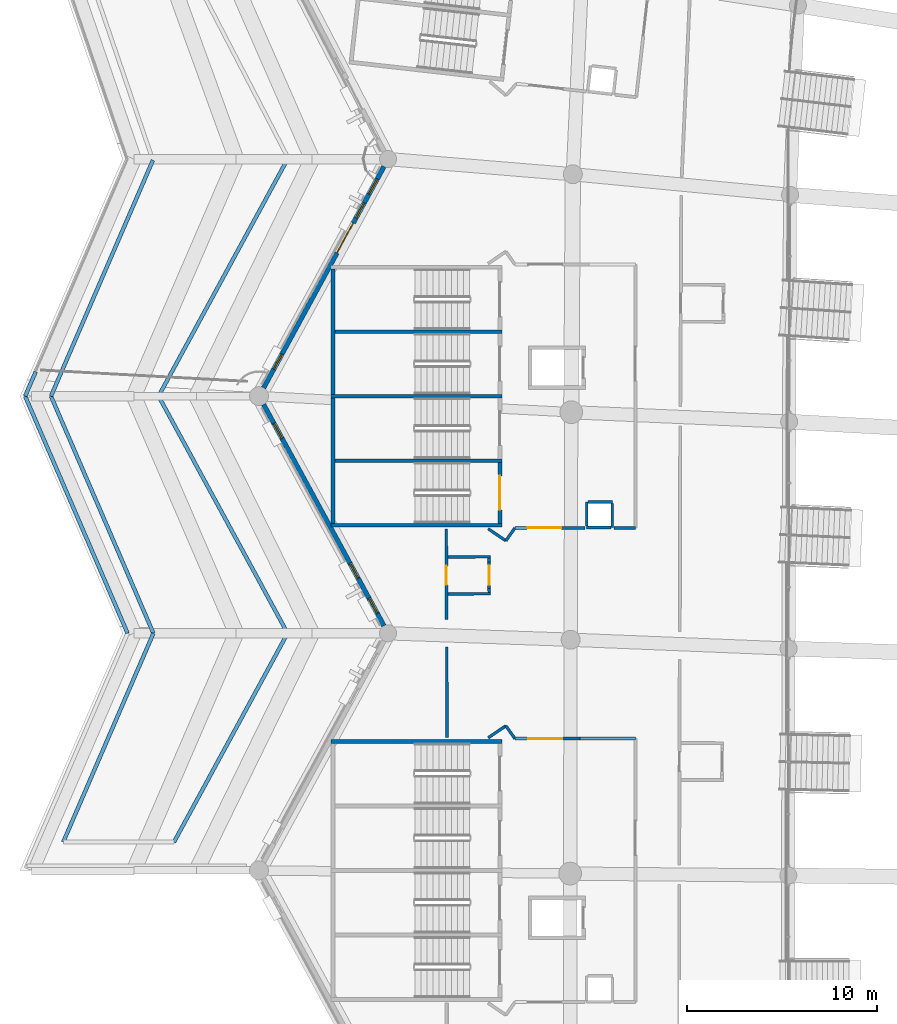
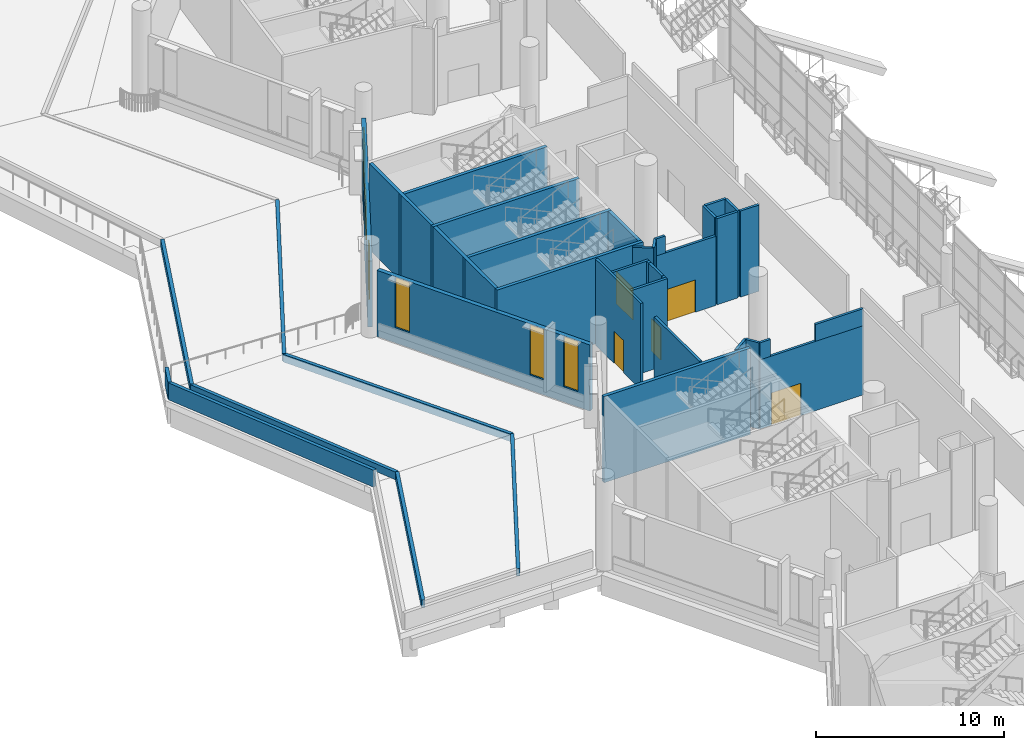
# One storey, part 61 of 173: 39 walls, 6 doors, 6 windows, 12 openings.
"""IFC4 building model written with IfcOpenShell, lengths in metres."""

from ifc_helpers import new_model, si_unit, direction, frame, frame_2d, origin, place, context, subcontext, project, spatial, rectangle, extrude, material, layer, layer_set, type_object, element, fill, save


model = new_model("IFC4")

# Units and contexts
model_context = context("Model", 3, precision=1e-05, world=origin(), true_north=direction((0.0, 1.0)))
body_context = subcontext(model_context, "Body", "Model", "MODEL_VIEW")
ifc_project = project(units=[si_unit("LENGTHUNIT", "METRE"), si_unit("AREAUNIT", "SQUARE_METRE"), si_unit("VOLUMEUNIT", "CUBIC_METRE"), si_unit("PLANEANGLEUNIT", "RADIAN"), si_unit("MASSUNIT", "GRAM", prefix="KILO")], contexts=[model_context])

# Site, building, storey
site_placement = place(None, origin())
site = spatial("IfcSite", under=ifc_project, at=site_placement, CompositionType="ELEMENT")
building_placement = place(site_placement, origin())
building = spatial("IfcBuilding", under=site, at=building_placement, Name="Meseta Stadium", CompositionType="ELEMENT")
storey_placement = place(building_placement, frame((0.0, 0.0, 18.0)))
storey = spatial("IfcBuildingStorey", under=building, at=storey_placement, Name="L03", CompositionType="ELEMENT", Elevation=18.0)

# Walls
ifc_material_1 = material(Name="Concrete C40/50", Category="concrete")
ifc_layer_1 = layer(ifc_material_1, 0.199951171875)
ifc_layer_set_1 = layer_set([ifc_layer_1], Name="Core divider wall 200")
wall_type_1 = type_object("IfcWallType", Name="Core divider wall 200", PredefinedType="SHEAR", material=ifc_layer_set_1)
for number, where, z_axis, x_axis, name in (
    (1, (-97.60009765625, 34.64990234375, 0.0), (0.0, 0.0, 1.0), (1.0, 0.0, 0.0), "Core 16 L03 stair A divider wall"),
    (2, (-97.60009765625, 27.85009765625, 0.0), (0.0, 0.0, 1.0), (1.0, 0.0, 0.0), "Core 16 L03 stair B divider wall"),
):
    element("IfcWall", number, at=place(storey_placement, frame(where, z_axis=z_axis, x_axis=x_axis)), inside=storey, type_object=wall_type_1, Name=name, PredefinedType="SHEAR", context=body_context, shape_type="SweptSolid", body=[
        extrude(rectangle(XDim=9.0, YDim=0.199951171875, at=frame_2d((4.5, 0.0))), origin(), (0.0, 0.0, 1.0), 5.60009765625),
    ])
ifc_material_2 = material(Name="Concrete C40/50", Category="concrete")
ifc_layer_2 = layer(ifc_material_2, 0.199951171875)
ifc_layer_set_2 = layer_set([ifc_layer_2], Name="Core shaft wall 200")
wall_type_2 = type_object("IfcWallType", Name="Core shaft wall 200", PredefinedType="SHEAR", material=ifc_layer_set_2)
for number, where, z_axis, x_axis, name in (
    (3, (-97.60009765625, 31.25, 0.0), (0.0, 0.0, 1.0), (1.0, 0.0, 0.0), "Core 16 L03 stair wall shared"),
    (4, (-97.60009765625, 24.449951171875, 0.0), (0.0, 0.0, 1.0), (1.0, 0.0, 0.0), "Core 16 L03 stair wall B-side"),
):
    element("IfcWall", number, at=place(storey_placement, frame(where, z_axis=z_axis, x_axis=x_axis)), inside=storey, type_object=wall_type_2, Name=name, PredefinedType="SHEAR", context=body_context, shape_type="SweptSolid", body=[
        extrude(rectangle(XDim=9.0, YDim=0.199951171875, at=frame_2d((4.5, 0.0))), origin(), (0.0, 0.0, 1.0), 5.60009765625),
    ])
for number, where, z_axis, x_axis, name in (
    (5, (-97.5, 37.949951171875, 0.0), (0.0, 0.0, 1.0), (0.0, -1.0, 0.0), "Core 16 L03 stair A outer end wall"),
    (6, (-97.5, 31.14990234375, 0.0), (0.0, 0.0, 1.0), (0.0, -1.0, 0.0), "Core 16 L03 stair B outer end wall"),
):
    element("IfcWall", number, at=place(storey_placement, frame(where, z_axis=z_axis, x_axis=x_axis)), inside=storey, type_object=wall_type_2, Name=name, PredefinedType="SHEAR", context=body_context, shape_type="SweptSolid", body=[
        extrude(rectangle(XDim=6.599853515625, YDim=0.199951171875, at=frame_2d((3.2998046875, 0.0))), origin(), (0.0, 0.0, 1.0), 5.60009765625),
    ])

# Wall, opening, door
wall_1_placement = place(storey_placement, frame((-88.699951171875, 27.75, 0.0), z_axis=(0.0, 0.0, 1.0), x_axis=(0.0, -1.0, 0.0)))
wall_1 = element("IfcWall", 7, at=wall_1_placement, inside=storey, type_object=wall_type_2, Name="Core 16 L03 stair B2 inner end wall", PredefinedType="SHEAR", context=body_context, shape_type="SweptSolid", body=[
    extrude(rectangle(XDim=3.199951171875, YDim=0.199951171875, at=frame_2d((1.60009765625, 0.0))), origin(), (0.0, 0.0, 1.0), 5.60009765625),
])
opening_1_placement = place(wall_1_placement, frame((0.699951171875, 0.0, 0.0)))
opening_1 = element("IfcOpeningElement", 8, at=opening_1_placement, cuts=wall_1, Name="Opening D1287", PredefinedType="OPENING", context=body_context, shape_type="SweptSolid", body=[
    extrude(rectangle(XDim=1.800048828125, YDim=2.10009765625, at=frame_2d((0.89990234375, 1.050048828125))), frame((0.0, 0.10986328125, 0.0), z_axis=(0.0, -1.0, 0.0), x_axis=(1.0, 0.0, 0.0)), (0.0, 0.0, 1.0), 0.219970703125),
])
ifc_material_3 = material(Name="Steel", Category="steel")
door_type_1 = type_object("IfcDoorType", Name="Stair door 1800x2100", OperationType="DOUBLE_DOOR_SINGLE_SWING", PredefinedType="DOOR", material=ifc_material_3)
door_1_placement = place(opening_1_placement, origin())
door_1 = element("IfcDoor", 9, at=door_1_placement, inside=storey, type_object=door_type_1, Name="Stair B2 door 16 L03", OperationType="DOUBLE_DOOR_SINGLE_SWING", OverallHeight=2.10009765625, OverallWidth=1.800048828125, PredefinedType="DOOR", context=body_context, shape_type="SweptSolid", body=[
    extrude(rectangle(XDim=1.800048828125, YDim=2.10009765625, at=frame_2d((0.89990234375, 1.050048828125))), frame((0.0, 0.02490234375, 0.0), z_axis=(0.0, -1.0, 0.0), x_axis=(1.0, 0.0, 0.0)), (0.0, 0.0, 1.0), 0.050048828125),
])
fill(opening_1, door_1)

# Wall
wall_2_placement = place(storey_placement, frame((-97.60009765625, 13.050048828125, 0.0), z_axis=(0.0, 0.0, 1.0), x_axis=(1.0, 0.0, 0.0)))
element("IfcWall", 10, at=wall_2_placement, inside=storey, type_object=wall_type_2, Name="Core 17 L03 stair wall A-side", PredefinedType="SHEAR", context=body_context, shape_type="SweptSolid", body=[
    extrude(rectangle(XDim=9.0, YDim=0.199951171875, at=frame_2d((4.5, 0.0))), origin(), (0.0, 0.0, 1.0), 5.60009765625),
])

# Wall, opening, door
ifc_material_4 = material(Name="Masonry blockwork", Category="masonry")
ifc_layer_3 = layer(ifc_material_4, 0.14990234375)
ifc_layer_set_3 = layer_set([ifc_layer_3], Name="Partition 150")
wall_type_3 = type_object("IfcWallType", Name="Partition 150", PredefinedType="PARTITIONING", material=ifc_layer_set_3)
wall_3_placement = place(storey_placement, frame((-91.528564453125, 24.25, 0.0), z_axis=(0.0, 0.0, 1.0), x_axis=(0.00367531974, -0.99999324599, 0.0)))
wall_3 = element("IfcWall", 11, at=wall_3_placement, inside=storey, type_object=wall_type_3, Name="Partition L03 L03-cell15-2-0", PredefinedType="PARTITIONING", context=body_context, shape_type="SweptSolid", body=[
    extrude(rectangle(XDim=4.78271484375, YDim=0.14990234375, at=frame_2d((2.391357421875, 0.0))), origin(), (0.0, 0.0, 1.0), 5.60009765625),
])
opening_2_placement = place(wall_3_placement, frame((1.949951171875, 0.0, 0.0)))
opening_2 = element("IfcOpeningElement", 12, at=opening_2_placement, cuts=wall_3, Name="Opening D1274", PredefinedType="OPENING", context=body_context, shape_type="SweptSolid", body=[
    extrude(rectangle(XDim=1.0, YDim=2.10009765625, at=frame_2d((0.5, 1.050048828125))), frame((0.0, 0.0849609375, 0.0), z_axis=(0.0, -1.0, 0.0), x_axis=(1.0, 0.0, 0.0)), (0.0, 0.0, 1.0), 0.169921875),
])
ifc_material_5 = material(Name="Steel", Category="steel")
door_type_2 = type_object("IfcDoorType", Name="Fire door 1000x2100 EI2 60", OperationType="NOTDEFINED", PredefinedType="DOOR", material=ifc_material_5)
door_2_placement = place(opening_2_placement, origin())
door_2 = element("IfcDoor", 13, at=door_2_placement, inside=storey, type_object=door_type_2, Name="Room door L03 L03-cell15-2-0", OperationType="SINGLE_SWING_LEFT", OverallHeight=2.10009765625, OverallWidth=1.0, PredefinedType="DOOR", context=body_context, shape_type="SweptSolid", body=[
    extrude(rectangle(XDim=1.0, YDim=2.10009765625, at=frame_2d((0.5, 1.050048828125))), frame((0.0, 0.02490234375, 0.0), z_axis=(0.0, -1.0, 0.0), x_axis=(1.0, 0.0, 0.0)), (0.0, 0.0, 1.0), 0.050048828125),
])
fill(opening_2, door_2)

# Walls
wall_4_placement = place(storey_placement, frame((-91.505615234375, 18.03271484375, 0.0), z_axis=(0.0, 0.0, 1.0), x_axis=(0.003624274308, -0.999993432296, 0.0)))
element("IfcWall", 14, at=wall_4_placement, inside=storey, type_object=wall_type_3, Name="Partition L03 L03-cell15-2-0", PredefinedType="PARTITIONING", context=body_context, shape_type="SweptSolid", body=[
    extrude(rectangle(XDim=4.78271484375, YDim=0.14990234375, at=frame_2d((2.391357421875, 0.0))), origin(), (0.0, 0.0, 1.0), 5.60009765625),
])
wall_5_placement = place(storey_placement, frame((-84.125, 25.675048828125, 0.0), z_axis=(0.0, 0.0, 1.0), x_axis=(0.0, -1.0, 0.0)))
element("IfcWall", 15, at=wall_5_placement, inside=storey, type_object=wall_type_3, Name="Pressurisation shaft wall L03 core 16", PredefinedType="PARTITIONING", context=body_context, shape_type="SweptSolid", body=[
    extrude(rectangle(XDim=1.275146484375, YDim=0.14990234375, at=frame_2d((0.6376953125, 0.0))), origin(), (0.0, 0.0, 1.0), 5.60009765625),
])
wall_6_placement = place(storey_placement, frame((-84.125, 24.324951171875, 0.0), z_axis=(0.0, 0.0, 1.0), x_axis=(1.0, 0.0, 0.0)))
element("IfcWall", 16, at=wall_6_placement, inside=storey, type_object=wall_type_3, Name="Pressurisation shaft wall L03 core 16", PredefinedType="PARTITIONING", context=body_context, shape_type="SweptSolid", body=[
    extrude(rectangle(XDim=1.27490234375, YDim=0.14990234375, at=frame_2d((0.637451171875, 0.0))), origin(), (0.0, 0.0, 1.0), 5.60009765625),
])
for number, where, z_axis, x_axis, name in (
    (17, (-82.77490234375, 24.324951171875, 0.0), (0.0, 0.0, 1.0), (0.0, 1.0, 0.0), "Pressurisation shaft wall L03 core 16"),
    (18, (-82.77490234375, 25.675048828125, 0.0), (0.0, 0.0, 1.0), (-1.0, 0.0, 0.0), "Pressurisation shaft wall L03 core 16"),
):
    element("IfcWall", number, at=place(storey_placement, frame(where, z_axis=z_axis, x_axis=x_axis)), inside=storey, type_object=wall_type_3, Name=name, PredefinedType="PARTITIONING", context=body_context, shape_type="SweptSolid", body=[
        extrude(rectangle(XDim=1.275146484375, YDim=0.14990234375, at=frame_2d((0.6376953125, 0.0))), origin(), (0.0, 0.0, 1.0), 5.60009765625),
    ])
wall_7_placement = place(storey_placement, frame((-89.319580078125, 24.260498046875, 0.0), z_axis=(0.0, 0.0, 1.0), x_axis=(0.827055308354, -0.562120553728, 0.0)))
element("IfcWall", 19, at=wall_7_placement, inside=storey, type_object=wall_type_3, Name="Stair vestibule wall L03 core 16", PredefinedType="PARTITIONING", context=body_context, shape_type="SweptSolid", body=[
    extrude(rectangle(XDim=1.1279296875, YDim=0.14990234375, at=frame_2d((0.56396484375, 0.0))), origin(), (0.0, 0.0, 1.0), 5.60009765625),
])
wall_8_placement = place(storey_placement, frame((-88.38671875, 23.62646484375, 0.0), z_axis=(0.0, 0.0, 1.0), x_axis=(0.575376756214, 0.817888493872, 0.0)))
element("IfcWall", 20, at=wall_8_placement, inside=storey, type_object=wall_type_3, Name="Stair vestibule wall L03 core 16", PredefinedType="PARTITIONING", context=body_context, shape_type="SweptSolid", body=[
    extrude(rectangle(XDim=0.82958984375, YDim=0.14990234375, at=frame_2d((0.414794921875, 0.0))), origin(), (0.0, 0.0, 1.0), 5.60009765625),
])

# Wall, opening, door
wall_9_placement = place(storey_placement, frame((-87.909423828125, 24.304931640625, 0.0), z_axis=(0.0, 0.0, 1.0), x_axis=(1.0, 0.0, 0.0)))
wall_9 = element("IfcWall", 21, at=wall_9_placement, inside=storey, type_object=wall_type_3, Name="Stair vestibule wall L03 core 16", PredefinedType="PARTITIONING", context=body_context, shape_type="SweptSolid", body=[
    extrude(rectangle(XDim=3.70361328125, YDim=0.14990234375, at=frame_2d((1.851806640625, 0.0))), origin(), (0.0, 0.0, 1.0), 4.5),
])
opening_3_placement = place(wall_9_placement, frame((0.64990234375, 0.0, 0.0)))
opening_3 = element("IfcOpeningElement", 22, at=opening_3_placement, cuts=wall_9, Name="Opening D1302", PredefinedType="OPENING", context=body_context, shape_type="SweptSolid", body=[
    extrude(rectangle(XDim=1.800048828125, YDim=2.10009765625, at=frame_2d((0.89990234375, 1.050048828125))), frame((0.0, 0.0849609375, 0.0), z_axis=(0.0, -1.0, 0.0), x_axis=(1.0, 0.0, 0.0)), (0.0, 0.0, 1.0), 0.169921875),
])
ifc_material_6 = material(Name="Steel", Category="steel")
door_type_3 = type_object("IfcDoorType", Name="Fire double door 1800x2100 EI2 60", OperationType="DOUBLE_DOOR_SINGLE_SWING", PredefinedType="DOOR", material=ifc_material_6)
door_3_placement = place(opening_3_placement, origin())
door_3 = element("IfcDoor", 23, at=door_3_placement, inside=storey, type_object=door_type_3, Name="Stair vestibule door L03 core 16", OperationType="DOUBLE_DOOR_SINGLE_SWING", OverallHeight=2.10009765625, OverallWidth=1.800048828125, PredefinedType="DOOR", context=body_context, shape_type="SweptSolid", body=[
    extrude(rectangle(XDim=1.800048828125, YDim=2.10009765625, at=frame_2d((0.89990234375, 1.050048828125))), frame((0.0, 0.02490234375, 0.0), z_axis=(0.0, -1.0, 0.0), x_axis=(1.0, 0.0, 0.0)), (0.0, 0.0, 1.0), 0.050048828125),
])
fill(opening_3, door_3)

# Walls
wall_10_placement = place(storey_placement, frame((-87.909423828125, 24.304931640625, 4.5), z_axis=(0.0, 0.0, 1.0), x_axis=(1.0, 0.0, 0.0)))
element("IfcWall", 24, at=wall_10_placement, inside=storey, type_object=wall_type_3, Name="Stair vestibule wall L03 core 16", PredefinedType="PARTITIONING", context=body_context, shape_type="SweptSolid", body=[
    extrude(rectangle(XDim=0.599853515625, YDim=0.14990234375, at=frame_2d((0.2998046875, 0.0))), origin(), (0.0, 0.0, 1.0), 1.10009765625),
])
wall_11_placement = place(storey_placement, frame((-82.68994140625, 24.304931640625, 0.0), z_axis=(0.0, 0.0, 1.0), x_axis=(1.0, 0.0, 0.0)))
element("IfcWall", 25, at=wall_11_placement, inside=storey, type_object=wall_type_3, Name="Stair vestibule wall L03 core 16", PredefinedType="PARTITIONING", context=body_context, shape_type="SweptSolid", body=[
    extrude(rectangle(XDim=1.135009765625, YDim=0.14990234375, at=frame_2d((0.5673828125, 0.0))), origin(), (0.0, 0.0, 1.0), 5.60009765625),
])

# Wall, opening, door
wall_12_placement = place(storey_placement, frame((-81.554931640625, 13.195068359375, 0.0), z_axis=(0.0, 0.0, 1.0), x_axis=(-1.0, 0.0, 0.0)))
wall_12 = element("IfcWall", 26, at=wall_12_placement, inside=storey, type_object=wall_type_3, Name="Stair vestibule wall L03 core 17", PredefinedType="PARTITIONING", context=body_context, shape_type="SweptSolid", body=[
    extrude(rectangle(XDim=6.354248046875, YDim=0.14990234375, at=frame_2d((3.17724609375, 0.0))), origin(), (0.0, 0.0, 1.0), 4.5),
])
opening_4_placement = place(wall_12_placement, frame((3.85009765625, 0.0, 0.0)))
opening_4 = element("IfcOpeningElement", 27, at=opening_4_placement, cuts=wall_12, Name="Opening D1304", PredefinedType="OPENING", context=body_context, shape_type="SweptSolid", body=[
    extrude(rectangle(XDim=1.800048828125, YDim=2.10009765625, at=frame_2d((0.89990234375, 1.050048828125))), frame((0.0, 0.0849609375, 0.0), z_axis=(0.0, -1.0, 0.0), x_axis=(1.0, 0.0, 0.0)), (0.0, 0.0, 1.0), 0.169921875),
])
door_4_placement = place(opening_4_placement, origin())
door_4 = element("IfcDoor", 28, at=door_4_placement, inside=storey, type_object=door_type_3, Name="Stair vestibule door L03 core 17", OperationType="DOUBLE_DOOR_SINGLE_SWING", OverallHeight=2.10009765625, OverallWidth=1.800048828125, PredefinedType="DOOR", context=body_context, shape_type="SweptSolid", body=[
    extrude(rectangle(XDim=1.800048828125, YDim=2.10009765625, at=frame_2d((0.89990234375, 1.050048828125))), frame((0.0, 0.02490234375, 0.0), z_axis=(0.0, -1.0, 0.0), x_axis=(1.0, 0.0, 0.0)), (0.0, 0.0, 1.0), 0.050048828125),
])
fill(opening_4, door_4)

# Walls
wall_13_placement = place(storey_placement, frame((-81.554931640625, 13.195068359375, 4.5), z_axis=(0.0, 0.0, 1.0), x_axis=(-1.0, 0.0, 0.0)))
element("IfcWall", 29, at=wall_13_placement, inside=storey, type_object=wall_type_3, Name="Stair vestibule wall L03 core 17", PredefinedType="PARTITIONING", context=body_context, shape_type="SweptSolid", body=[
    extrude(rectangle(XDim=2.932861328125, YDim=0.14990234375, at=frame_2d((1.46630859375, 0.0))), origin(), (0.0, 0.0, 1.0), 1.10009765625),
])
wall_14_placement = place(storey_placement, frame((-87.2548828125, 13.195068359375, 4.5), z_axis=(0.0, 0.0, 1.0), x_axis=(-1.0, 0.0, 0.0)))
element("IfcWall", 30, at=wall_14_placement, inside=storey, type_object=wall_type_3, Name="Stair vestibule wall L03 core 17", PredefinedType="PARTITIONING", context=body_context, shape_type="SweptSolid", body=[
    extrude(rectangle(XDim=0.654296875, YDim=0.14990234375, at=frame_2d((0.3271484375, 0.0))), origin(), (0.0, 0.0, 1.0), 1.10009765625),
])
wall_15_placement = place(storey_placement, frame((-87.9091796875, 13.195068359375, 0.0), z_axis=(0.0, 0.0, 1.0), x_axis=(-0.575573582652, 0.81774999294, 0.0)))
element("IfcWall", 31, at=wall_15_placement, inside=storey, type_object=wall_type_3, Name="Stair vestibule wall L03 core 17", PredefinedType="PARTITIONING", context=body_context, shape_type="SweptSolid", body=[
    extrude(rectangle(XDim=0.82958984375, YDim=0.14990234375, at=frame_2d((0.414794921875, 0.0))), origin(), (0.0, 0.0, 1.0), 5.60009765625),
])
wall_16_placement = place(storey_placement, frame((-88.38671875, 13.87353515625, 0.0), z_axis=(0.0, 0.0, 1.0), x_axis=(-0.827055308354, -0.562120553728, 0.0)))
element("IfcWall", 32, at=wall_16_placement, inside=storey, type_object=wall_type_3, Name="Stair vestibule wall L03 core 17", PredefinedType="PARTITIONING", context=body_context, shape_type="SweptSolid", body=[
    extrude(rectangle(XDim=1.1279296875, YDim=0.14990234375, at=frame_2d((0.56396484375, 0.0))), origin(), (0.0, 0.0, 1.0), 5.60009765625),
])
for number, where, z_axis, x_axis, name in (
    (33, (-91.4482421875, 22.775390625, 0.0), (0.0, 0.0, 1.0), (0.999993194838, 0.003689211005, 0.0), "Partition L03 L03-cell15-2-0 vestibule"),
    (34, (-91.44091796875, 20.8251953125, 0.0), (0.0, 0.0, 1.0), (0.999993194838, 0.003689211005, 0.0), "Partition L03 L03-cell15-2-0 vestibule"),
):
    element("IfcWall", number, at=place(storey_placement, frame(where, z_axis=z_axis, x_axis=x_axis)), inside=storey, type_object=wall_type_3, Name=name, PredefinedType="PARTITIONING", context=body_context, shape_type="SweptSolid", body=[
        extrude(rectangle(XDim=2.25, YDim=0.14990234375, at=frame_2d((1.125, 0.0))), origin(), (0.0, 0.0, 1.0), 5.60009765625),
    ])
wall_17_placement = place(storey_placement, frame((-89.27294921875, 22.708251953125, 0.0), z_axis=(0.0, 0.0, 1.0), x_axis=(0.003662979089, -0.99999329127, 0.0)))
element("IfcWall", 35, at=wall_17_placement, inside=storey, type_object=wall_type_3, Name="Partition L03 L03-cell15-2-0 vestibule", PredefinedType="PARTITIONING", context=body_context, shape_type="SweptSolid", body=[
    extrude(rectangle(XDim=0.199951171875, YDim=0.14990234375, at=frame_2d((0.10009765625, 0.0))), origin(), (0.0, 0.0, 1.0), 5.60009765625),
])

# Wall, opening, door
wall_18_placement = place(storey_placement, frame((-89.272216796875, 22.50830078125, 0.0), z_axis=(0.0, 0.0, 1.0), x_axis=(0.00366234028, -0.999993293609, 0.0)))
wall_18 = element("IfcWall", 36, at=wall_18_placement, inside=storey, type_object=wall_type_3, Name="Partition L03 L03-cell15-2-0 vestibule", PredefinedType="PARTITIONING", context=body_context, shape_type="SweptSolid", body=[
    extrude(rectangle(XDim=1.39990234375, YDim=0.14990234375, at=frame_2d((0.699951171875, 0.0))), origin(), (0.0, 0.0, 1.0), 5.60009765625),
])
opening_5_placement = place(wall_18_placement, frame((0.199951171875, 0.0, 0.0)))
opening_5 = element("IfcOpeningElement", 37, at=opening_5_placement, cuts=wall_18, Name="Opening D1277", PredefinedType="OPENING", context=body_context, shape_type="SweptSolid", body=[
    extrude(rectangle(XDim=1.0, YDim=2.10009765625, at=frame_2d((0.5, 1.050048828125))), frame((0.0, 0.0849609375, 0.0), z_axis=(0.0, -1.0, 0.0), x_axis=(1.0, 0.0, 0.0)), (0.0, 0.0, 1.0), 0.169921875),
])
door_5_placement = place(opening_5_placement, origin())
door_5 = element("IfcDoor", 38, at=door_5_placement, inside=storey, type_object=door_type_2, Name="Vestibule door L03 L03-cell15-2-0", OperationType="SINGLE_SWING_LEFT", OverallHeight=2.10009765625, OverallWidth=1.0, PredefinedType="DOOR", context=body_context, shape_type="SweptSolid", body=[
    extrude(rectangle(XDim=1.0, YDim=2.10009765625, at=frame_2d((0.5, 1.050048828125))), frame((0.0, 0.02490234375, 0.0), z_axis=(0.0, -1.0, 0.0), x_axis=(1.0, 0.0, 0.0)), (0.0, 0.0, 1.0), 0.050048828125),
])
fill(opening_5, door_5)

# Walls
wall_19_placement = place(storey_placement, frame((-89.26708984375, 21.1083984375, 0.0), z_axis=(0.0, 0.0, 1.0), x_axis=(0.003658512101, -0.999993307622, 0.0)))
element("IfcWall", 39, at=wall_19_placement, inside=storey, type_object=wall_type_3, Name="Partition L03 L03-cell15-2-0 vestibule", PredefinedType="PARTITIONING", context=body_context, shape_type="SweptSolid", body=[
    extrude(rectangle(XDim=0.2001953125, YDim=0.14990234375, at=frame_2d((0.10009765625, 0.0))), origin(), (0.0, 0.0, 1.0), 5.60009765625),
])
ifc_material_7 = material(Name="Precast concrete C40/50", Category="concrete")
ifc_layer_4 = layer(ifc_material_7, 0.199951171875)
ifc_layer_set_4 = layer_set([ifc_layer_4], Name="Planter kerb 200")
wall_type_4 = type_object("IfcWallType", Name="Planter kerb 200", PredefinedType="USERDEFINED", material=ifc_layer_set_4)
wall_20_placement = place(storey_placement, frame((-99.864501953125, 43.80322265625, 0.0), z_axis=(0.0, 0.0, 1.0), x_axis=(-0.477875105319, -0.878427790838, 0.0)))
element("IfcWall", 40, at=wall_20_placement, inside=storey, type_object=wall_type_4, Name="Planter kerb 4.1.8", ObjectType="PLANTER", PredefinedType="USERDEFINED", context=body_context, shape_type="SweptSolid", body=[
    extrude(rectangle(XDim=14.29052734375, YDim=0.199951171875, at=frame_2d((7.145263671875, 0.0))), origin(), (0.0, 0.0, 1.0), 0.5),
])
wall_21_placement = place(storey_placement, frame((-106.693603515625, 31.25, 0.0), z_axis=(0.0, 0.0, 1.0), x_axis=(0.477869737994, -0.878430710705, 0.0)))
element("IfcWall", 41, at=wall_21_placement, inside=storey, type_object=wall_type_4, Name="Planter kerb 4.1.9", ObjectType="PLANTER", PredefinedType="USERDEFINED", context=body_context, shape_type="SweptSolid", body=[
    extrude(rectangle(XDim=14.22998046875, YDim=0.199951171875, at=frame_2d((7.114990234375, 0.0))), origin(), (0.0, 0.0, 1.0), 0.5),
])
wall_22_placement = place(storey_placement, frame((-99.8935546875, 18.75, 0.0), z_axis=(0.0, 0.0, 1.0), x_axis=(-0.477860109602, -0.87843594852, 0.0)))
element("IfcWall", 42, at=wall_22_placement, inside=storey, type_object=wall_type_4, Name="Planter kerb 4.1.10", ObjectType="PLANTER", PredefinedType="USERDEFINED", context=body_context, shape_type="SweptSolid", body=[
    extrude(rectangle(XDim=12.522216796875, YDim=0.199951171875, at=frame_2d((6.26123046875, 0.0))), origin(), (0.0, 0.0, 1.0), 0.5),
])
wall_23_placement = place(storey_placement, frame((-111.718017578125, 7.75, 0.0), z_axis=(0.0, 0.0, 1.0), x_axis=(0.396573392592, 0.91800301976, 0.0)))
element("IfcWall", 43, at=wall_23_placement, inside=storey, type_object=wall_type_4, Name="Planter kerb 4.1.12", ObjectType="PLANTER", PredefinedType="USERDEFINED", context=body_context, shape_type="SweptSolid", body=[
    extrude(rectangle(XDim=11.982421875, YDim=0.199951171875, at=frame_2d((5.9912109375, 0.0))), origin(), (0.0, 0.0, 1.0), 0.5),
])
wall_24_placement = place(storey_placement, frame((-106.966064453125, 18.75, 0.0), z_axis=(0.0, 0.0, 1.0), x_axis=(-0.396570645327, 0.918004206562, 0.0)))
element("IfcWall", 44, at=wall_24_placement, inside=storey, type_object=wall_type_4, Name="Planter kerb 4.1.13", ObjectType="PLANTER", PredefinedType="USERDEFINED", context=body_context, shape_type="SweptSolid", body=[
    extrude(rectangle(XDim=13.616455078125, YDim=0.199951171875, at=frame_2d((6.80810546875, 0.0))), origin(), (0.0, 0.0, 1.0), 0.5),
])
wall_25_placement = place(storey_placement, frame((-112.365966796875, 31.25, 0.0), z_axis=(0.0, 0.0, 1.0), x_axis=(0.396570979305, 0.918004062286, 0.0)))
element("IfcWall", 45, at=wall_25_placement, inside=storey, type_object=wall_type_4, Name="Planter kerb 4.1.14", ObjectType="PLANTER", PredefinedType="USERDEFINED", context=body_context, shape_type="SweptSolid", body=[
    extrude(rectangle(XDim=13.548095703125, YDim=0.199951171875, at=frame_2d((6.77392578125, 0.0))), origin(), (0.0, 0.0, 1.0), 0.5),
])

# Wall, openings, door, windows
ifc_material_8 = material(Name="White precast concrete C40/50", Category="concrete")
ifc_layer_5 = layer(ifc_material_8, 0.25)
ifc_layer_set_5 = layer_set([ifc_layer_5], Name="Pleated panel wall 250")
wall_type_5 = type_object("IfcWallType", Name="Pleated panel wall 250", PredefinedType="SOLIDWALL", material=ifc_layer_set_5)
wall_26_placement = place(storey_placement, frame((-101.1611328125, 31.68896484375, 0.0), z_axis=(0.0, 0.0, 1.0), x_axis=(0.477867771117, 0.878431780691, 0.0)))
wall_26 = element("IfcWall", 46, at=wall_26_placement, inside=storey, type_object=wall_type_5, Name="Pleated facade panel L03 F29", PredefinedType="SOLIDWALL", context=body_context, shape_type="SweptSolid", body=[
    extrude(rectangle(XDim=13.2802734375, YDim=0.25, at=frame_2d((6.64013671875, 0.0))), origin(), (0.0, 0.0, 1.0), 4.300048828125),
])
opening_6_placement = place(wall_26_placement, frame((11.630126953125, 0.0, 1.0)))
opening_6 = element("IfcOpeningElement", 47, at=opening_6_placement, cuts=wall_26, Name="Opening W068", PredefinedType="OPENING", context=body_context, shape_type="SweptSolid", body=[
    extrude(rectangle(XDim=0.89990234375, YDim=3.25, at=frame_2d((0.449951171875, 1.625))), frame((0.0, 0.135009765625, 0.0), z_axis=(0.0, -1.0, 0.0), x_axis=(1.0, 0.0, 0.0)), (0.0, 0.0, 1.0), 0.27001953125),
])
opening_7_placement = place(wall_26_placement, frame((10.199951171875, 0.0, 1.0)))
opening_7 = element("IfcOpeningElement", 48, at=opening_7_placement, cuts=wall_26, Name="Opening W062", PredefinedType="OPENING", context=body_context, shape_type="SweptSolid", body=[
    extrude(rectangle(XDim=0.89990234375, YDim=3.25, at=frame_2d((0.449951171875, 1.625))), frame((0.0, 0.135009765625, 0.0), z_axis=(0.0, -1.0, 0.0), x_axis=(1.0, 0.0, 0.0)), (0.0, 0.0, 1.0), 0.27001953125),
])
opening_8_placement = place(wall_26_placement, frame((1.130126953125, 0.0, 1.0)))
opening_8 = element("IfcOpeningElement", 49, at=opening_8_placement, cuts=wall_26, Name="Opening W051", PredefinedType="OPENING", context=body_context, shape_type="SweptSolid", body=[
    extrude(rectangle(XDim=0.89990234375, YDim=3.25, at=frame_2d((0.449951171875, 1.625))), frame((0.0, 0.135009765625, 0.0), z_axis=(0.0, -1.0, 0.0), x_axis=(1.0, 0.0, 0.0)), (0.0, 0.0, 1.0), 0.27001953125),
])
opening_9_placement = place(wall_26_placement, frame((8.10009765625, 0.0, 0.0)))
opening_9 = element("IfcOpeningElement", 50, at=opening_9_placement, cuts=wall_26, Name="Opening D1271", PredefinedType="OPENING", context=body_context, shape_type="SweptSolid", body=[
    extrude(rectangle(XDim=1.800048828125, YDim=2.39990234375, at=frame_2d((0.89990234375, 1.199951171875))), frame((0.0, 0.135009765625, 0.0), z_axis=(0.0, -1.0, 0.0), x_axis=(1.0, 0.0, 0.0)), (0.0, 0.0, 1.0), 0.27001953125),
])
ifc_material_9 = material(Name="Steel", Category="steel")
door_type_4 = type_object("IfcDoorType", Name="Roof garden double door 1800x2400", OperationType="DOUBLE_DOOR_SINGLE_SWING", PredefinedType="DOOR", material=ifc_material_9)
door_6_placement = place(opening_9_placement, origin())
door_6 = element("IfcDoor", 51, at=door_6_placement, inside=storey, type_object=door_type_4, Name="Roof garden door", OperationType="DOUBLE_DOOR_SINGLE_SWING", OverallHeight=2.39990234375, OverallWidth=1.800048828125, PredefinedType="DOOR", context=body_context, shape_type="SweptSolid", body=[
    extrude(rectangle(XDim=1.800048828125, YDim=2.39990234375, at=frame_2d((0.89990234375, 1.199951171875))), frame((0.0, 0.02490234375, 0.0), z_axis=(0.0, -1.0, 0.0), x_axis=(1.0, 0.0, 0.0)), (0.0, 0.0, 1.0), 0.050048828125),
])
fill(opening_9, door_6)
ifc_material_10 = material(Name="Aluminium", Category="aluminium")
window_type = type_object("IfcWindowType", Name="Slot window 900x3250", PartitioningType="SINGLE_PANEL", PredefinedType="WINDOW", material=ifc_material_10)
window_1_placement = place(opening_6_placement, origin())
window_1 = element("IfcWindow", 52, at=window_1_placement, inside=storey, type_object=window_type, Name="Slot window L03 F29.1", OverallHeight=3.25, OverallWidth=0.89990234375, PartitioningType="SINGLE_PANEL", PredefinedType="WINDOW", context=body_context, shape_type="SweptSolid", body=[
    extrude(rectangle(XDim=0.89990234375, YDim=3.25, at=frame_2d((0.449951171875, 1.625))), frame((0.0, 0.030029296875, 0.0), z_axis=(0.0, -1.0, 0.0), x_axis=(1.0, 0.0, 0.0)), (0.0, 0.0, 1.0), 0.06005859375),
])
fill(opening_6, window_1)
window_2_placement = place(opening_7_placement, origin())
window_2 = element("IfcWindow", 53, at=window_2_placement, inside=storey, type_object=window_type, Name="Slot window L03 F29.2", OverallHeight=3.25, OverallWidth=0.89990234375, PartitioningType="SINGLE_PANEL", PredefinedType="WINDOW", context=body_context, shape_type="SweptSolid", body=[
    extrude(rectangle(XDim=0.89990234375, YDim=3.25, at=frame_2d((0.449951171875, 1.625))), frame((0.0, 0.030029296875, 0.0), z_axis=(0.0, -1.0, 0.0), x_axis=(1.0, 0.0, 0.0)), (0.0, 0.0, 1.0), 0.06005859375),
])
fill(opening_7, window_2)
window_3_placement = place(opening_8_placement, origin())
window_3 = element("IfcWindow", 54, at=window_3_placement, inside=storey, type_object=window_type, Name="Slot window L03 F29.6", OverallHeight=3.25, OverallWidth=0.89990234375, PartitioningType="SINGLE_PANEL", PredefinedType="WINDOW", context=body_context, shape_type="SweptSolid", body=[
    extrude(rectangle(XDim=0.89990234375, YDim=3.25, at=frame_2d((0.449951171875, 1.625))), frame((0.0, 0.030029296875, 0.0), z_axis=(0.0, -1.0, 0.0), x_axis=(1.0, 0.0, 0.0)), (0.0, 0.0, 1.0), 0.06005859375),
])
fill(opening_8, window_3)

# Wall, openings, windows
wall_27_placement = place(storey_placement, frame((-94.81494140625, 19.145263671875, 0.0), z_axis=(0.0, 0.0, 1.0), x_axis=(-0.477867771117, 0.878431780691, 0.0)))
wall_27 = element("IfcWall", 55, at=wall_27_placement, inside=storey, type_object=wall_type_5, Name="Pleated facade panel L03 F30", PredefinedType="SOLIDWALL", context=body_context, shape_type="SweptSolid", body=[
    extrude(rectangle(XDim=13.2802734375, YDim=0.25, at=frame_2d((6.64013671875, 0.0))), origin(), (0.0, 0.0, 1.0), 4.300048828125),
])
opening_10_placement = place(wall_27_placement, frame((0.750244140625, 0.0, 1.0)))
opening_10 = element("IfcOpeningElement", 56, at=opening_10_placement, cuts=wall_27, Name="Opening W067", PredefinedType="OPENING", context=body_context, shape_type="SweptSolid", body=[
    extrude(rectangle(XDim=0.89990234375, YDim=3.25, at=frame_2d((0.449951171875, 1.625))), frame((0.0, 0.135009765625, 0.0), z_axis=(0.0, -1.0, 0.0), x_axis=(1.0, 0.0, 0.0)), (0.0, 0.0, 1.0), 0.27001953125),
])
opening_11_placement = place(wall_27_placement, frame((2.85009765625, 0.0, 1.0)))
opening_11 = element("IfcOpeningElement", 57, at=opening_11_placement, cuts=wall_27, Name="Opening W060", PredefinedType="OPENING", context=body_context, shape_type="SweptSolid", body=[
    extrude(rectangle(XDim=0.89990234375, YDim=3.25, at=frame_2d((0.449951171875, 1.625))), frame((0.0, 0.135009765625, 0.0), z_axis=(0.0, -1.0, 0.0), x_axis=(1.0, 0.0, 0.0)), (0.0, 0.0, 1.0), 0.27001953125),
])
opening_12_placement = place(wall_27_placement, frame((11.250244140625, 0.0, 1.0)))
opening_12 = element("IfcOpeningElement", 58, at=opening_12_placement, cuts=wall_27, Name="Opening W050", PredefinedType="OPENING", context=body_context, shape_type="SweptSolid", body=[
    extrude(rectangle(XDim=0.89990234375, YDim=3.25, at=frame_2d((0.449951171875, 1.625))), frame((0.0, 0.135009765625, 0.0), z_axis=(0.0, -1.0, 0.0), x_axis=(1.0, 0.0, 0.0)), (0.0, 0.0, 1.0), 0.27001953125),
])
window_4_placement = place(opening_10_placement, origin())
window_4 = element("IfcWindow", 59, at=window_4_placement, inside=storey, type_object=window_type, Name="Slot window L03 F30.1", OverallHeight=3.25, OverallWidth=0.89990234375, PartitioningType="SINGLE_PANEL", PredefinedType="WINDOW", context=body_context, shape_type="SweptSolid", body=[
    extrude(rectangle(XDim=0.89990234375, YDim=3.25, at=frame_2d((0.449951171875, 1.625))), frame((0.0, 0.030029296875, 0.0), z_axis=(0.0, -1.0, 0.0), x_axis=(1.0, 0.0, 0.0)), (0.0, 0.0, 1.0), 0.06005859375),
])
fill(opening_10, window_4)
window_5_placement = place(opening_11_placement, origin())
window_5 = element("IfcWindow", 60, at=window_5_placement, inside=storey, type_object=window_type, Name="Slot window L03 F30.2", OverallHeight=3.25, OverallWidth=0.89990234375, PartitioningType="SINGLE_PANEL", PredefinedType="WINDOW", context=body_context, shape_type="SweptSolid", body=[
    extrude(rectangle(XDim=0.89990234375, YDim=3.25, at=frame_2d((0.449951171875, 1.625))), frame((0.0, 0.030029296875, 0.0), z_axis=(0.0, -1.0, 0.0), x_axis=(1.0, 0.0, 0.0)), (0.0, 0.0, 1.0), 0.06005859375),
])
fill(opening_11, window_5)
window_6_placement = place(opening_12_placement, origin())
window_6 = element("IfcWindow", 61, at=window_6_placement, inside=storey, type_object=window_type, Name="Slot window L03 F30.6", OverallHeight=3.25, OverallWidth=0.89990234375, PartitioningType="SINGLE_PANEL", PredefinedType="WINDOW", context=body_context, shape_type="SweptSolid", body=[
    extrude(rectangle(XDim=0.89990234375, YDim=3.25, at=frame_2d((0.449951171875, 1.625))), frame((0.0, 0.030029296875, 0.0), z_axis=(0.0, -1.0, 0.0), x_axis=(1.0, 0.0, 0.0)), (0.0, 0.0, 1.0), 0.06005859375),
])
fill(opening_12, window_6)

# Walls
ifc_material_11 = material(Name="Concrete C40/50", Category="concrete")
ifc_layer_6 = layer(ifc_material_11, 0.199951171875)
ifc_layer_set_6 = layer_set([ifc_layer_6], Name="Roof parapet 200")
wall_type_6 = type_object("IfcWallType", Name="Roof parapet 200", PredefinedType="PARAPET", material=ifc_layer_set_6)
wall_28_placement = place(storey_placement, frame((-108.32763671875, 18.75, 0.0), z_axis=(0.0, 0.0, 1.0), x_axis=(-0.396585755151, 0.917997679088, 0.0)))
element("IfcWall", 62, at=wall_28_placement, inside=storey, type_object=wall_type_6, Name="Roof parapet 4.27.1", PredefinedType="PARAPET", context=body_context, shape_type="SweptSolid", body=[
    extrude(rectangle(XDim=13.61669921875, YDim=0.199951171875, at=frame_2d((6.808349609375, 0.0))), origin(), (0.0, 0.0, 1.0), 1.10009765625),
])
wall_29_placement = place(storey_placement, frame((-113.727783203125, 31.25, 0.0), z_axis=(0.0, 0.0, 1.0), x_axis=(0.396636739806, 0.91797565144, 0.0)))
element("IfcWall", 63, at=wall_29_placement, inside=storey, type_object=wall_type_6, Name="Roof parapet 4.28.1", PredefinedType="PARAPET", context=body_context, shape_type="SweptSolid", body=[
    extrude(rectangle(XDim=1.39794921875, YDim=0.199951171875, at=frame_2d((0.698974609375, 0.0))), origin(), (0.0, 0.0, 1.0), 1.10009765625),
])

save(model, "model.ifc")
